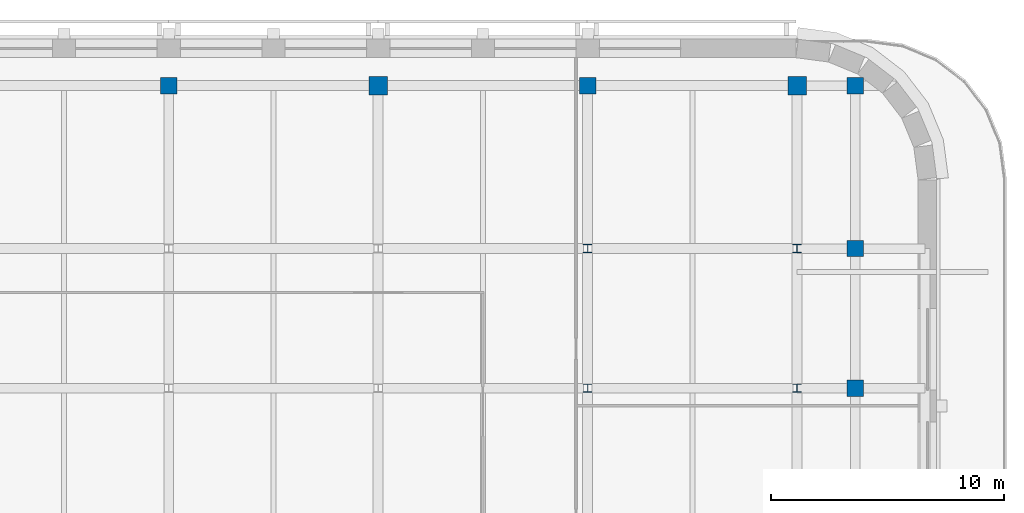
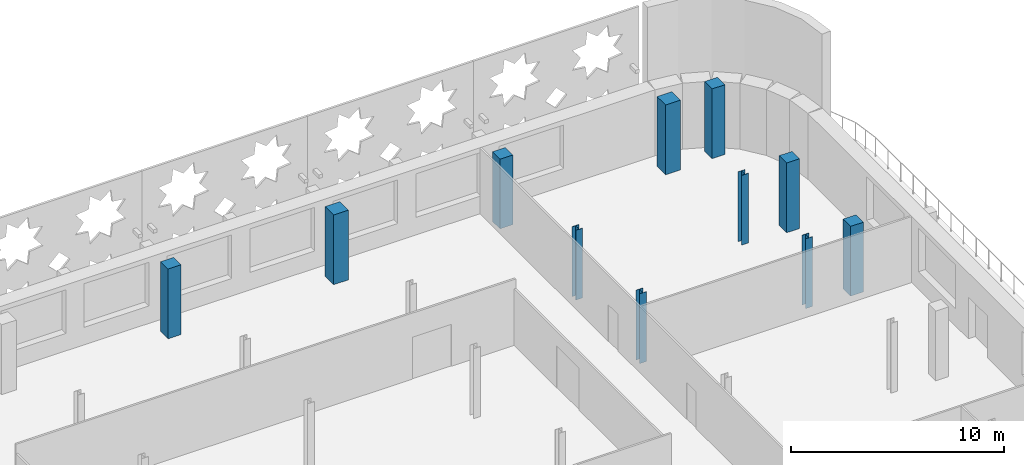
# One storey, part 4 of 15: 11 columns.
"""IFC4 building model written with IfcOpenShell, lengths in metres."""

from ifc_helpers import new_model, si_unit, direction, frame, origin, origin_2d, place, context, subcontext, project, spatial, rectangle, i_section, extrude, material, material_profile, profile_set, type_object, element, save


model = new_model("IFC4")

# Units and contexts
model_context = context("Model", 3, precision=1e-05, world=origin(), true_north=direction((0.0, 1.0)))
body_context = subcontext(model_context, "Body", "Model", "MODEL_VIEW")
ifc_project = project(units=[si_unit("LENGTHUNIT", "METRE"), si_unit("AREAUNIT", "SQUARE_METRE"), si_unit("VOLUMEUNIT", "CUBIC_METRE"), si_unit("PLANEANGLEUNIT", "RADIAN"), si_unit("MASSUNIT", "GRAM", prefix="KILO")], contexts=[model_context])

# Site, building, storey
site_placement = place(None, origin())
site = spatial("IfcSite", under=ifc_project, at=site_placement, CompositionType="ELEMENT")
building_placement = place(site_placement, origin())
building = spatial("IfcBuilding", under=site, at=building_placement, Name="Zellij Exchange Tower", CompositionType="ELEMENT")
storey_placement = place(building_placement, frame((0.0, 0.0, 284.5)))
storey = spatial("IfcBuildingStorey", under=building, at=storey_placement, Name="L67", CompositionType="ELEMENT", Elevation=284.5)

# Columns
ifc_material_1 = material(Name="Concrete C50/60", Category="concrete")
ifc_material_profile_1 = material_profile(ifc_material_1, rectangle(XDim=0.699951171875, YDim=0.699951171875, at=origin_2d()), Name="STR-COLUMN RC700x700 C50/60")
ifc_profile_set_1 = profile_set([ifc_material_profile_1], Name="Concrete C50/60")
column_type_1 = type_object("IfcColumnType", Name="STR-COLUMN RC700x700 C50/60", PredefinedType="COLUMN", material=ifc_profile_set_1)
for number, where, z_axis, x_axis, name in (
    (1, (29.5, 22.0, 0.0), (0.0, 0.0, 1.0), (1.0, 0.0, 0.0), "C14"),
    (2, (29.5, 28.0, 0.0), (0.0, 0.0, 1.0), (1.0, 0.0, 0.0), "C14"),
    (3, (0.0, 35.0, 0.0), (0.0, 0.0, 1.0), (1.0, 0.0, 0.0), "C14"),
    (4, (18.0, 35.0, 0.0), (0.0, 0.0, 1.0), (1.0, 0.0, 0.0), "C14"),
    (5, (29.5, 35.0, 0.0), (0.0, 0.0, 1.0), (1.0, 0.0, 0.0), "C14"),
):
    element("IfcColumn", number, at=place(storey_placement, frame(where, z_axis=z_axis, x_axis=x_axis)), inside=storey, type_object=column_type_1, Name=name, PredefinedType="COLUMN", context=body_context, shape_type="SweptSolid", body=[
        extrude(rectangle(XDim=0.699951171875, YDim=0.699951171875, at=origin_2d()), origin(), (0.0, 0.0, 1.0), 4.0),
    ])
ifc_material_2 = material(Name="Structural steel ASTM A992 Gr 50", Category="steel")
ifc_material_profile_2 = material_profile(ifc_material_2, i_section(OverallWidth=0.368408203125, OverallDepth=0.355712890625, WebThickness=0.01123046875, FlangeThickness=0.01806640625, at=origin_2d()), Name="W14x90")
ifc_profile_set_2 = profile_set([ifc_material_profile_2], Name="Structural steel ASTM A992 Gr 50")
column_type_2 = type_object("IfcColumnType", Name="STR-COLUMN W14x90", PredefinedType="COLUMN", material=ifc_profile_set_2)
for number, where, z_axis, x_axis, name in (
    (6, (18.0, 22.0, 0.0), (0.0, 0.0, 1.0), (1.0, 0.0, 0.0), "C8"),
    (7, (27.0, 22.0, 0.0), (0.0, 0.0, 1.0), (1.0, 0.0, 0.0), "C8"),
    (8, (18.0, 28.0, 0.0), (0.0, 0.0, 1.0), (1.0, 0.0, 0.0), "C8"),
    (9, (27.0, 28.0, 0.0), (0.0, 0.0, 1.0), (1.0, 0.0, 0.0), "C8"),
):
    element("IfcColumn", number, at=place(storey_placement, frame(where, z_axis=z_axis, x_axis=x_axis)), inside=storey, type_object=column_type_2, Name=name, PredefinedType="COLUMN", context=body_context, shape_type="SweptSolid", body=[
        extrude(i_section(OverallWidth=0.368408203125, OverallDepth=0.355712890625, WebThickness=0.01123046875, FlangeThickness=0.01806640625, at=origin_2d()), origin(), (0.0, 0.0, 1.0), 4.0),
    ])
ifc_material_profile_3 = material_profile(ifc_material_1, rectangle(XDim=0.800048828125, YDim=0.800048828125, at=origin_2d()), Name="STR-MEGA COLUMN RC800x800 C50/60")
ifc_profile_set_3 = profile_set([ifc_material_profile_3], Name="Concrete C50/60")
column_type_3 = type_object("IfcColumnType", Name="STR-MEGA COLUMN RC800x800 C50/60", PredefinedType="COLUMN", material=ifc_profile_set_3)
for number, where, z_axis, x_axis, name in (
    (10, (9.0, 35.0, 0.0), (0.0, 0.0, 1.0), (1.0, 0.0, 0.0), "MC10"),
    (11, (27.0, 35.0, 0.0), (0.0, 0.0, 1.0), (1.0, 0.0, 0.0), "MC10"),
):
    element("IfcColumn", number, at=place(storey_placement, frame(where, z_axis=z_axis, x_axis=x_axis)), inside=storey, type_object=column_type_3, Name=name, PredefinedType="COLUMN", context=body_context, shape_type="SweptSolid", body=[
        extrude(rectangle(XDim=0.800048828125, YDim=0.800048828125, at=origin_2d()), origin(), (0.0, 0.0, 1.0), 4.0),
    ])

save(model, "model.ifc")
